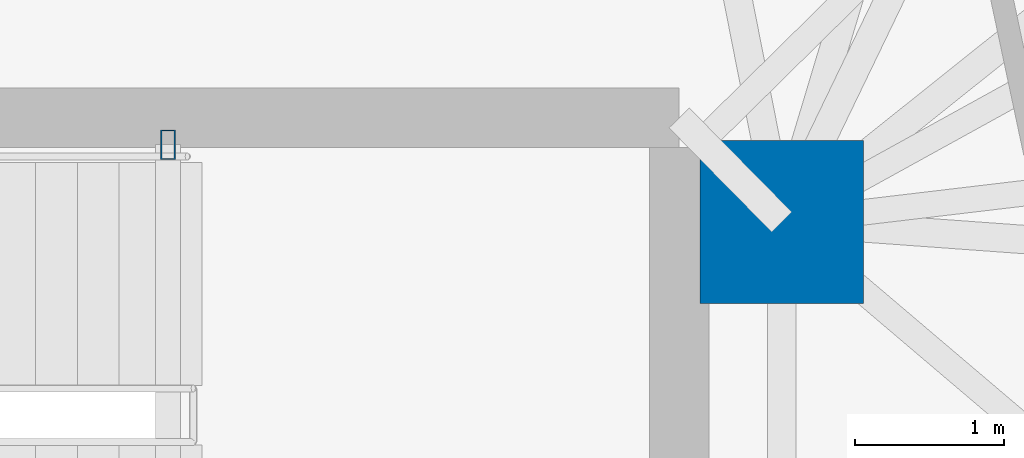
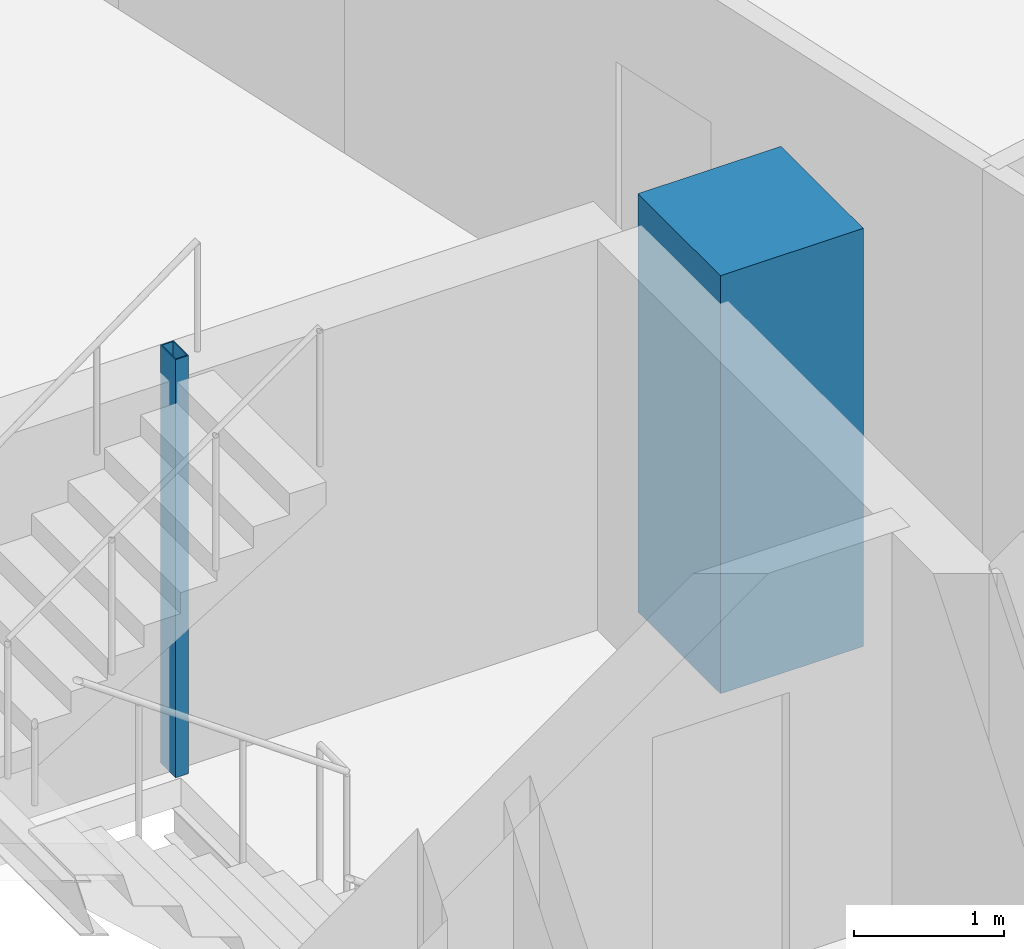
# One storey, part 4 of 19: 2 columns.
"""IFC4 building model written with IfcOpenShell, lengths in metres."""

from ifc_helpers import new_model, si_unit, direction, frame, origin, origin_2d, place, context, subcontext, project, spatial, rectangle, hollow_rectangle, extrude, material, material_profile, profile_set, type_object, element, save


model = new_model("IFC4")

# Units and contexts
model_context = context("Model", 3, precision=1e-05, world=origin(), true_north=direction((0.0, 1.0)))
body_context = subcontext(model_context, "Body", "Model", "MODEL_VIEW")
ifc_project = project(units=[si_unit("LENGTHUNIT", "METRE"), si_unit("AREAUNIT", "SQUARE_METRE"), si_unit("VOLUMEUNIT", "CUBIC_METRE"), si_unit("PLANEANGLEUNIT", "RADIAN"), si_unit("MASSUNIT", "GRAM", prefix="KILO")], contexts=[model_context])

# Site, building, storey
site_placement = place(None, origin())
site = spatial("IfcSite", under=ifc_project, at=site_placement, CompositionType="ELEMENT")
building_placement = place(site_placement, origin())
building = spatial("IfcBuilding", under=site, at=building_placement, Name="Menara Jurai Vektor", CompositionType="ELEMENT")
storey_placement = place(building_placement, frame((0.0, 0.0, 195.60009765625)))
storey = spatial("IfcBuildingStorey", under=building, at=storey_placement, Name="L51", CompositionType="ELEMENT", Elevation=195.60009765625)

# Columns
ifc_material_1 = material(Name="Concrete C50/60", Category="concrete")
ifc_material_profile_1 = material_profile(ifc_material_1, rectangle(XDim=1.10009765625, YDim=1.10009765625, at=origin_2d()), Name="RC 1100x1100")
ifc_profile_set_1 = profile_set([ifc_material_profile_1], Name="Concrete C50/60")
column_type_1 = type_object("IfcColumnType", Name="STR-COL-RC1100", PredefinedType="COLUMN", material=ifc_profile_set_1)
column_1_placement = place(storey_placement, frame((15.25, 4.89990234375, 0.0), z_axis=(0.0, 0.0, 1.0), x_axis=(1.0, 0.0, 0.0)))
element("IfcColumn", 1, at=column_1_placement, inside=storey, type_object=column_type_1, Name="Core Spine Column CE-NE L51", PredefinedType="COLUMN", context=body_context, shape_type="SweptSolid", body=[
    extrude(rectangle(XDim=1.10009765625, YDim=1.10009765625, at=origin_2d()), origin(), (0.0, 0.0, 1.0), 3.39990234375),
])
ifc_material_2 = material(Name="Steel S355", Category="steel")
ifc_material_profile_2 = material_profile(ifc_material_2, hollow_rectangle(XDim=0.10009765625, YDim=0.199951171875, WallThickness=0.008056640625, at=origin_2d()), Name="RHS 200x100x8")
ifc_profile_set_2 = profile_set([ifc_material_profile_2], Name="Steel S355")
column_type_2 = type_object("IfcColumnType", Name="STR-COL-STAIR", PredefinedType="COLUMN", material=ifc_profile_set_2)
column_2_placement = place(storey_placement, frame((11.1201171875, 5.419921875, 0.0), z_axis=(0.0, 0.0, 1.0), x_axis=(1.0, 0.0, 0.0)))
element("IfcColumn", 2, at=column_2_placement, inside=storey, type_object=column_type_2, Name="Stair Well Header Column ST2-P2 L51", PredefinedType="COLUMN", context=body_context, shape_type="SweptSolid", body=[
    extrude(hollow_rectangle(XDim=0.10009765625, YDim=0.199951171875, WallThickness=0.008056640625, at=origin_2d()), origin(), (0.0, 0.0, 1.0), 3.39990234375),
])

save(model, "model.ifc")
